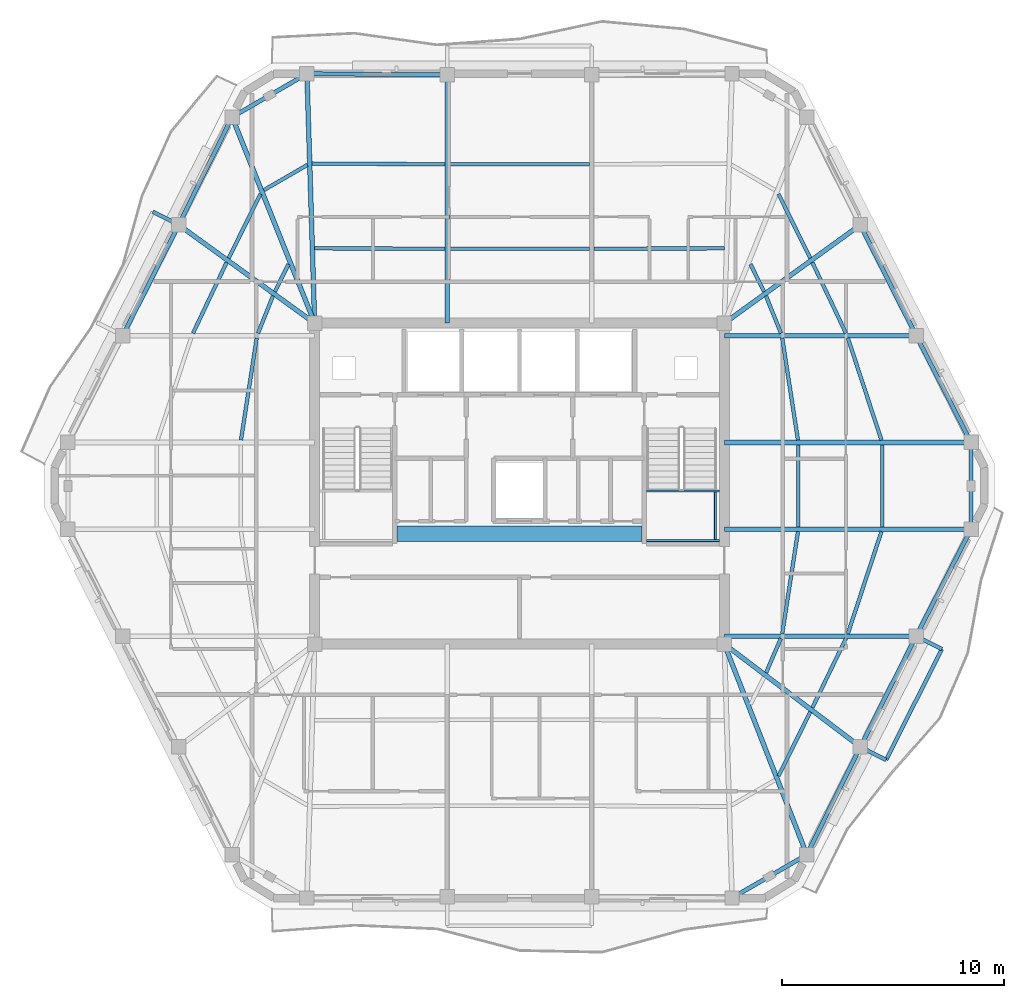
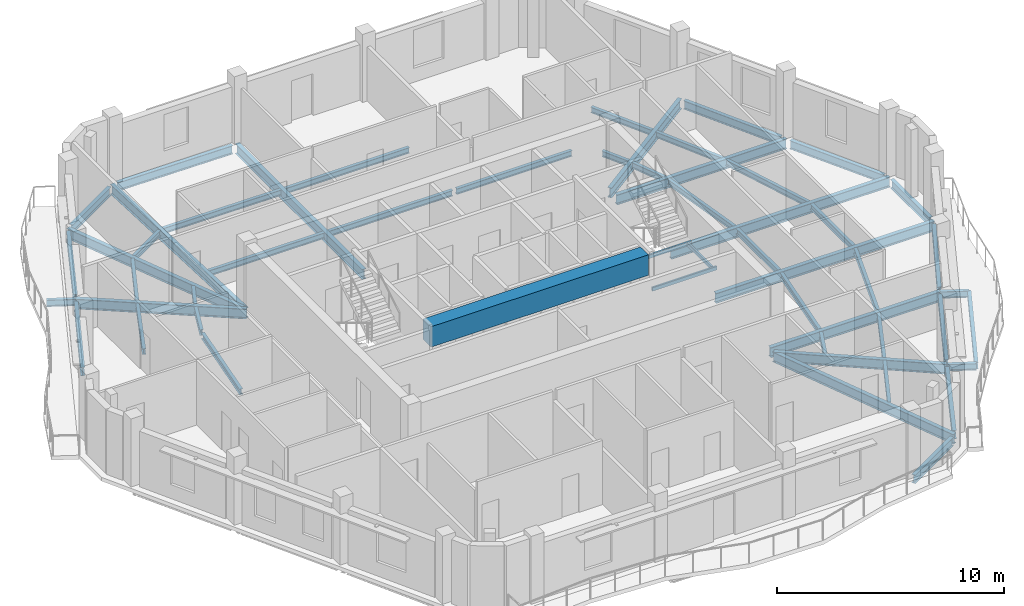
# One storey, part 2 of 12: 54 beams.
"""IFC4 building model written with IfcOpenShell, lengths in metres."""

from ifc_helpers import new_model, si_unit, direction, frame, origin, origin_2d, place, context, subcontext, project, spatial, rectangle, hollow_rectangle, i_section, extrude, material, material_profile, profile_set, type_object, element, save


model = new_model("IFC4")

# Units and contexts
model_context = context("Model", 3, precision=1e-05, world=origin(), true_north=direction((0.0, 1.0)))
body_context = subcontext(model_context, "Body", "Model", "MODEL_VIEW")
ifc_project = project(units=[si_unit("LENGTHUNIT", "METRE"), si_unit("AREAUNIT", "SQUARE_METRE"), si_unit("VOLUMEUNIT", "CUBIC_METRE"), si_unit("PLANEANGLEUNIT", "RADIAN"), si_unit("MASSUNIT", "GRAM", prefix="KILO")], contexts=[model_context])

# Site, building, storey
site_placement = place(None, origin())
site = spatial("IfcSite", under=ifc_project, at=site_placement, CompositionType="ELEMENT")
building_placement = place(site_placement, origin())
building = spatial("IfcBuilding", under=site, at=building_placement, Name="Cinnabar Lancet Tower", CompositionType="ELEMENT")
storey_placement = place(building_placement, frame((0.0, 0.0, 270.800048828125)))
storey = spatial("IfcBuildingStorey", under=building, at=storey_placement, Name="L72", CompositionType="ELEMENT", Elevation=270.800048828125)

# Beams
ifc_material_1 = material(Name="Concrete C70/85", Category="concrete")
ifc_material_profile_1 = material_profile(ifc_material_1, rectangle(XDim=0.699951171875, YDim=1.10009765625, at=origin_2d()), Name="RC-CB 700x1100")
ifc_profile_set_1 = profile_set([ifc_material_profile_1], Name="Concrete C70/85")
beam_type_1 = type_object("IfcBeamType", Name="STR-BM-CB-1100", PredefinedType="BEAM", material=ifc_profile_set_1)
beam_1_placement = place(storey_placement, frame((26.8798828125, 23.64990234375, 2.89990234375), z_axis=(1.0, 0.0, 0.0), x_axis=(0.0, 1.0, 0.0)))
element("IfcBeam", 1, at=beam_1_placement, inside=storey, type_object=beam_type_1, Name="L72 Core Coupling Beam", PredefinedType="BEAM", context=body_context, shape_type="SweptSolid", body=[
    extrude(rectangle(XDim=0.699951171875, YDim=1.10009765625, at=origin_2d()), origin(), (0.0, 0.0, 1.0), 11.0400390625),
])
ifc_material_2 = material(Name="Structural steel S355", Category="steel")
ifc_material_profile_2 = material_profile(ifc_material_2, i_section(OverallWidth=0.1650390625, OverallDepth=0.303466796875, WebThickness=0.006103515625, FlangeThickness=0.01025390625, FilletRadius=0.0087890625, at=origin_2d()), Name="UKB 305x165x40")
ifc_profile_set_2 = profile_set([ifc_material_profile_2], Name="Structural steel S355")
beam_type_2 = type_object("IfcBeamType", Name="STR-BM-JST-305", PredefinedType="JOIST", material=ifc_profile_set_2)
beam_2_placement = place(storey_placement, frame((44.06591796875, 12.73193359375, -0.35205078125), z_axis=(0.444391284604, 0.895832789179, 0.0), x_axis=(-0.895832789179, 0.444391284604, 0.0)))
element("IfcBeam", 2, at=beam_2_placement, inside=storey, type_object=beam_type_2, Name="L72 Secondary Floor Joist 15", PredefinedType="JOIST", context=body_context, shape_type="SweptSolid", body=[
    extrude(i_section(OverallWidth=0.1650390625, OverallDepth=0.303466796875, WebThickness=0.006103515625, FlangeThickness=0.01025390625, FilletRadius=0.0087890625, at=origin_2d()), origin(), (0.0, 0.0, 1.0), 3.220458984375),
])
beam_3_placement = place(storey_placement, frame((45.591064453125, 15.80810546875, -0.35205078125), z_axis=(0.43610936109, 0.899893674369, 0.0), x_axis=(-0.899893674369, 0.43610936109, 0.0)))
element("IfcBeam", 3, at=beam_3_placement, inside=storey, type_object=beam_type_2, Name="L72 Secondary Floor Joist 17", PredefinedType="JOIST", context=body_context, shape_type="SweptSolid", body=[
    extrude(i_section(OverallWidth=0.1650390625, OverallDepth=0.303466796875, WebThickness=0.006103515625, FlangeThickness=0.01025390625, FilletRadius=0.0087890625, at=origin_2d()), origin(), (0.0, 0.0, 1.0), 3.467041015625),
])
beam_4_placement = place(storey_placement, frame((43.5048828125, 17.385009765625, -0.35205078125), z_axis=(0.396302440144, 0.91812002262, 0.0), x_axis=(-0.91812002262, 0.396302440144, 0.0)))
element("IfcBeam", 4, at=beam_4_placement, inside=storey, type_object=beam_type_2, Name="L72 Secondary Floor Joist 18", PredefinedType="JOIST", context=body_context, shape_type="SweptSolid", body=[
    extrude(i_section(OverallWidth=0.1650390625, OverallDepth=0.303466796875, WebThickness=0.006103515625, FlangeThickness=0.01025390625, FilletRadius=0.0087890625, at=origin_2d()), origin(), (0.0, 0.0, 1.0), 1.6806640625),
])
beam_5_placement = place(storey_placement, frame((47.18798828125, 19.137939453125, -0.35205078125), z_axis=(0.312491145371, 0.949920672512, 0.0), x_axis=(-0.949920672512, 0.312491145371, 0.0)))
element("IfcBeam", 5, at=beam_5_placement, inside=storey, type_object=beam_type_2, Name="L72 Secondary Floor Joist 19", PredefinedType="JOIST", context=body_context, shape_type="SweptSolid", body=[
    extrude(i_section(OverallWidth=0.1650390625, OverallDepth=0.303466796875, WebThickness=0.006103515625, FlangeThickness=0.01025390625, FilletRadius=0.0087890625, at=origin_2d()), origin(), (0.0, 0.0, 1.0), 4.8447265625),
])
beam_6_placement = place(storey_placement, frame((44.23291015625, 19.137939453125, -0.35205078125), z_axis=(0.152262059154, 0.988340156698, 0.0), x_axis=(-0.988340156698, 0.152262059154, 0.0)))
element("IfcBeam", 6, at=beam_6_placement, inside=storey, type_object=beam_type_2, Name="L72 Secondary Floor Joist 20", PredefinedType="JOIST", context=body_context, shape_type="SweptSolid", body=[
    extrude(i_section(OverallWidth=0.1650390625, OverallDepth=0.303466796875, WebThickness=0.006103515625, FlangeThickness=0.01025390625, FilletRadius=0.0087890625, at=origin_2d()), origin(), (0.0, 0.0, 1.0), 4.65625),
])
for number, where, z_axis, x_axis, name in (
    (7, (48.737060546875, 23.949951171875, -0.35205078125), (0.0, 1.0, 0.0), (-1.0, 0.0, 0.0), "L72 Secondary Floor Joist 21"),
    (8, (44.958984375, 23.949951171875, -0.35205078125), (0.0, 1.0, 0.0), (-1.0, 0.0, 0.0), "L72 Secondary Floor Joist 22"),
):
    element("IfcBeam", number, at=place(storey_placement, frame(where, z_axis=z_axis, x_axis=x_axis)), inside=storey, type_object=beam_type_2, Name=name, PredefinedType="JOIST", context=body_context, shape_type="SweptSolid", body=[
        extrude(i_section(OverallWidth=0.1650390625, OverallDepth=0.303466796875, WebThickness=0.006103515625, FlangeThickness=0.01025390625, FilletRadius=0.0087890625, at=origin_2d()), origin(), (0.0, 0.0, 1.0), 3.699951171875),
    ])
beam_7_placement = place(storey_placement, frame((48.701904296875, 27.860107421875, -0.35205078125), z_axis=(-0.312506104996, 0.94991575118, 0.0), x_axis=(-0.94991575118, -0.312506104996, 0.0)))
element("IfcBeam", 9, at=beam_7_placement, inside=storey, type_object=beam_type_2, Name="L72 Secondary Floor Joist 23", PredefinedType="JOIST", context=body_context, shape_type="SweptSolid", body=[
    extrude(i_section(OverallWidth=0.1650390625, OverallDepth=0.303466796875, WebThickness=0.006103515625, FlangeThickness=0.01025390625, FilletRadius=0.0087890625, at=origin_2d()), origin(), (0.0, 0.0, 1.0), 4.844482421875),
])
beam_8_placement = place(storey_placement, frame((44.94189453125, 27.860107421875, -0.35205078125), z_axis=(-0.152269949853, 0.988338941038, 0.0), x_axis=(-0.988338941038, -0.152269949853, 0.0)))
element("IfcBeam", 10, at=beam_8_placement, inside=storey, type_object=beam_type_2, Name="L72 Secondary Floor Joist 24", PredefinedType="JOIST", context=body_context, shape_type="SweptSolid", body=[
    extrude(i_section(OverallWidth=0.1650390625, OverallDepth=0.303466796875, WebThickness=0.006103515625, FlangeThickness=0.01025390625, FilletRadius=0.0087890625, at=origin_2d()), origin(), (0.0, 0.0, 1.0), 4.656005859375),
])
beam_9_placement = place(storey_placement, frame((47.10400390625, 32.672119140625, -0.35205078125), z_axis=(-0.428647868514, 0.903471640296, 0.0), x_axis=(-0.903471640296, -0.428647868514, 0.0)))
element("IfcBeam", 11, at=beam_9_placement, inside=storey, type_object=beam_type_2, Name="L72 Secondary Floor Joist 25", PredefinedType="JOIST", context=body_context, shape_type="SweptSolid", body=[
    extrude(i_section(OverallWidth=0.1650390625, OverallDepth=0.303466796875, WebThickness=0.006103515625, FlangeThickness=0.01025390625, FilletRadius=0.0087890625, at=origin_2d()), origin(), (0.0, 0.0, 1.0), 3.53173828125),
])
beam_10_placement = place(storey_placement, frame((44.175048828125, 32.672119140625, -0.35205078125), z_axis=(-0.37155332079, 0.928411616585, 0.0), x_axis=(-0.928411616585, -0.37155332079, 0.0)))
element("IfcBeam", 12, at=beam_10_placement, inside=storey, type_object=beam_type_2, Name="L72 Secondary Floor Joist 26", PredefinedType="JOIST", context=body_context, shape_type="SweptSolid", body=[
    extrude(i_section(OverallWidth=0.1650390625, OverallDepth=0.303466796875, WebThickness=0.006103515625, FlangeThickness=0.01025390625, FilletRadius=0.0087890625, at=origin_2d()), origin(), (0.0, 0.0, 1.0), 1.8115234375),
])
beam_11_placement = place(storey_placement, frame((45.4970703125, 36.054931640625, -0.35205078125), z_axis=(-0.44427059531, 0.895892648783, 0.0), x_axis=(-0.895892648783, -0.44427059531, 0.0)))
element("IfcBeam", 13, at=beam_11_placement, inside=storey, type_object=beam_type_2, Name="L72 Secondary Floor Joist 27", PredefinedType="JOIST", context=body_context, shape_type="SweptSolid", body=[
    extrude(i_section(OverallWidth=0.1650390625, OverallDepth=0.303466796875, WebThickness=0.006103515625, FlangeThickness=0.01025390625, FilletRadius=0.0087890625, at=origin_2d()), origin(), (0.0, 0.0, 1.0), 3.221435546875),
])
beam_12_placement = place(storey_placement, frame((43.4150390625, 34.549072265625, -0.35205078125), z_axis=(-0.444661746427, 0.895698571655, 0.0), x_axis=(-0.895698571655, -0.444661746427, 0.0)))
element("IfcBeam", 14, at=beam_12_placement, inside=storey, type_object=beam_type_2, Name="L72 Secondary Floor Joist 28", PredefinedType="JOIST", context=body_context, shape_type="SweptSolid", body=[
    extrude(i_section(OverallWidth=0.1650390625, OverallDepth=0.303466796875, WebThickness=0.006103515625, FlangeThickness=0.01025390625, FilletRadius=0.0087890625, at=origin_2d()), origin(), (0.0, 0.0, 1.0), 1.378662109375),
])
beam_13_placement = place(storey_placement, frame((41.6240234375, 36.49609375, -0.35205078125), z_axis=(-0.999996226008, -0.002747356738, 0.0), x_axis=(0.002747356738, -0.999996226008, 0.0)))
element("IfcBeam", 15, at=beam_13_placement, inside=storey, type_object=beam_type_2, Name="L72 Secondary Floor Joist 31", PredefinedType="JOIST", context=body_context, shape_type="SweptSolid", body=[
    extrude(i_section(OverallWidth=0.1650390625, OverallDepth=0.303466796875, WebThickness=0.006103515625, FlangeThickness=0.01025390625, FilletRadius=0.0087890625, at=origin_2d()), origin(), (0.0, 0.0, 1.0), 5.864990234375),
])
for number, where, z_axis, x_axis, name in (
    (16, (35.549072265625, 40.281982421875, -0.35205078125), (-1.0, 0.0, 0.0), (0.0, -1.0, 0.0), "L72 Secondary Floor Joist 32"),
    (17, (35.549072265625, 36.47998046875, -0.35205078125), (-1.0, 0.0, 0.0), (0.0, -1.0, 0.0), "L72 Secondary Floor Joist 33"),
):
    element("IfcBeam", number, at=place(storey_placement, frame(where, z_axis=z_axis, x_axis=x_axis)), inside=storey, type_object=beam_type_2, Name=name, PredefinedType="JOIST", context=body_context, shape_type="SweptSolid", body=[
        extrude(i_section(OverallWidth=0.1650390625, OverallDepth=0.303466796875, WebThickness=0.006103515625, FlangeThickness=0.01025390625, FilletRadius=0.0087890625, at=origin_2d()), origin(), (0.0, 0.0, 1.0), 6.298095703125),
    ])
beam_14_placement = place(storey_placement, frame((29.041015625, 40.282958984375, -0.35205078125), z_axis=(-0.999985712428, 0.005345553266, 0.0), x_axis=(-0.005345553266, -0.999985712428, 0.0)))
element("IfcBeam", 18, at=beam_14_placement, inside=storey, type_object=beam_type_2, Name="L72 Secondary Floor Joist 34", PredefinedType="JOIST", context=body_context, shape_type="SweptSolid", body=[
    extrude(i_section(OverallWidth=0.1650390625, OverallDepth=0.303466796875, WebThickness=0.006103515625, FlangeThickness=0.01025390625, FilletRadius=0.0087890625, at=origin_2d()), origin(), (0.0, 0.0, 1.0), 5.98291015625),
])
beam_15_placement = place(storey_placement, frame((29.041015625, 36.47998046875, -0.35205078125), z_axis=(-0.999996226008, 0.002747356738, 0.0), x_axis=(-0.002747356738, -0.999996226008, 0.0)))
element("IfcBeam", 19, at=beam_15_placement, inside=storey, type_object=beam_type_2, Name="L72 Secondary Floor Joist 35", PredefinedType="JOIST", context=body_context, shape_type="SweptSolid", body=[
    extrude(i_section(OverallWidth=0.1650390625, OverallDepth=0.303466796875, WebThickness=0.006103515625, FlangeThickness=0.01025390625, FilletRadius=0.0087890625, at=origin_2d()), origin(), (0.0, 0.0, 1.0), 5.864990234375),
])
beam_16_placement = place(storey_placement, frame((22.85009765625, 40.256103515625, -0.35205078125), z_axis=(-0.865426285481, -0.501036270542, 0.0), x_axis=(0.501036270542, -0.865426285481, 0.0)))
element("IfcBeam", 20, at=beam_16_placement, inside=storey, type_object=beam_type_2, Name="L72 Secondary Floor Joist 36", PredefinedType="JOIST", context=body_context, shape_type="SweptSolid", body=[
    extrude(i_section(OverallWidth=0.1650390625, OverallDepth=0.303466796875, WebThickness=0.006103515625, FlangeThickness=0.01025390625, FilletRadius=0.0087890625, at=origin_2d()), origin(), (0.0, 0.0, 1.0), 2.267333984375),
])
beam_17_placement = place(storey_placement, frame((20.73388671875, 38.94091796875, -0.35205078125), z_axis=(-0.444209762814, -0.89592281287, 0.0), x_axis=(0.89592281287, -0.444209762814, 0.0)))
element("IfcBeam", 21, at=beam_17_placement, inside=storey, type_object=beam_type_2, Name="L72 Secondary Floor Joist 37", PredefinedType="JOIST", context=body_context, shape_type="SweptSolid", body=[
    extrude(i_section(OverallWidth=0.1650390625, OverallDepth=0.303466796875, WebThickness=0.006103515625, FlangeThickness=0.01025390625, FilletRadius=0.0087890625, at=origin_2d()), origin(), (0.0, 0.0, 1.0), 3.22119140625),
])
beam_18_placement = place(storey_placement, frame((21.998046875, 35.783935546875, -0.35205078125), z_axis=(-0.444661746427, -0.895698571655, 0.0), x_axis=(0.895698571655, -0.444661746427, 0.0)))
element("IfcBeam", 22, at=beam_18_placement, inside=storey, type_object=beam_type_2, Name="L72 Secondary Floor Joist 38", PredefinedType="JOIST", context=body_context, shape_type="SweptSolid", body=[
    extrude(i_section(OverallWidth=0.1650390625, OverallDepth=0.303466796875, WebThickness=0.006103515625, FlangeThickness=0.01025390625, FilletRadius=0.0087890625, at=origin_2d()), origin(), (0.0, 0.0, 1.0), 1.378662109375),
])
beam_19_placement = place(storey_placement, frame((19.2099609375, 35.863037109375, -0.35205078125), z_axis=(-0.428647868514, -0.903471640296, 0.0), x_axis=(0.903471640296, -0.428647868514, 0.0)))
element("IfcBeam", 23, at=beam_19_placement, inside=storey, type_object=beam_type_2, Name="L72 Secondary Floor Joist 39", PredefinedType="JOIST", context=body_context, shape_type="SweptSolid", body=[
    extrude(i_section(OverallWidth=0.1650390625, OverallDepth=0.303466796875, WebThickness=0.006103515625, FlangeThickness=0.01025390625, FilletRadius=0.0087890625, at=origin_2d()), origin(), (0.0, 0.0, 1.0), 3.53173828125),
])
beam_20_placement = place(storey_placement, frame((21.298095703125, 34.35400390625, -0.35205078125), z_axis=(-0.37155332079, -0.928411616585, 0.0), x_axis=(0.928411616585, -0.37155332079, 0.0)))
element("IfcBeam", 24, at=beam_20_placement, inside=storey, type_object=beam_type_2, Name="L72 Secondary Floor Joist 40", PredefinedType="JOIST", context=body_context, shape_type="SweptSolid", body=[
    extrude(i_section(OverallWidth=0.1650390625, OverallDepth=0.303466796875, WebThickness=0.006103515625, FlangeThickness=0.01025390625, FilletRadius=0.0087890625, at=origin_2d()), origin(), (0.0, 0.0, 1.0), 1.8115234375),
])
beam_21_placement = place(storey_placement, frame((20.56689453125, 32.4619140625, -0.35205078125), z_axis=(-0.152269949853, -0.988338941038, 0.0), x_axis=(0.988338941038, -0.152269949853, 0.0)))
element("IfcBeam", 25, at=beam_21_placement, inside=storey, type_object=beam_type_2, Name="L72 Secondary Floor Joist 42", PredefinedType="JOIST", context=body_context, shape_type="SweptSolid", body=[
    extrude(i_section(OverallWidth=0.1650390625, OverallDepth=0.303466796875, WebThickness=0.006103515625, FlangeThickness=0.01025390625, FilletRadius=0.0087890625, at=origin_2d()), origin(), (0.0, 0.0, 1.0), 4.656005859375),
])
ifc_material_3 = material(Name="Structural steel S355", Category="steel")
ifc_material_profile_3 = material_profile(ifc_material_3, hollow_rectangle(XDim=0.10009765625, YDim=0.199951171875, WallThickness=0.008056640625, InnerFilletRadius=0.00390625, OuterFilletRadius=0.011962890625, at=origin_2d()), Name="RHS 200x100x8")
ifc_profile_set_3 = profile_set([ifc_material_profile_3], Name="Structural steel S355")
beam_type_3 = type_object("IfcBeamType", Name="STR-BM-LND-203", PredefinedType="BEAM", material=ifc_profile_set_3)
for number, where, z_axis, x_axis, name in (
    (26, (38.1201171875, 23.330078125, 1.52490234375), (1.0, 0.0, 0.0), (0.0, 1.0, 0.0), "L72 ST-2-L72 Landing Support Beam S"),
    (27, (38.1201171875, 25.570068359375, 1.52490234375), (1.0, 0.0, 0.0), (0.0, 1.0, 0.0), "L72 ST-2-L72 Landing Support Beam N"),
):
    element("IfcBeam", number, at=place(storey_placement, frame(where, z_axis=z_axis, x_axis=x_axis)), inside=storey, type_object=beam_type_3, Name=name, PredefinedType="BEAM", context=body_context, shape_type="SweptSolid", body=[
        extrude(hollow_rectangle(XDim=0.10009765625, YDim=0.199951171875, WallThickness=0.008056640625, InnerFilletRadius=0.00390625, OuterFilletRadius=0.011962890625, at=origin_2d()), origin(), (0.0, 0.0, 1.0), 3.27978515625),
    ])
beam_22_placement = place(storey_placement, frame((41.219970703125, 23.3798828125, 1.52490234375), z_axis=(0.0, 1.0, 0.0), x_axis=(-1.0, 0.0, 0.0)))
element("IfcBeam", 28, at=beam_22_placement, inside=storey, type_object=beam_type_3, Name="L72 ST-2-L72 Landing Side Trimmer Beam", PredefinedType="BEAM", context=body_context, shape_type="SweptSolid", body=[
    extrude(hollow_rectangle(XDim=0.10009765625, YDim=0.199951171875, WallThickness=0.008056640625, InnerFilletRadius=0.00390625, OuterFilletRadius=0.011962890625, at=origin_2d()), origin(), (0.0, 0.0, 1.0), 2.14013671875),
])
ifc_material_4 = material(Name="Structural steel S355", Category="steel")
ifc_material_profile_4 = material_profile(ifc_material_4, i_section(OverallWidth=0.1904296875, OverallDepth=0.45703125, WebThickness=0.009033203125, FlangeThickness=0.014404296875, FilletRadius=0.01025390625, at=origin_2d()), Name="UKB 457x191x74")
ifc_profile_set_4 = profile_set([ifc_material_profile_4], Name="Structural steel S355")
beam_type_4 = type_object("IfcBeamType", Name="STR-BM-SPN-457", PredefinedType="SPANDREL", material=ifc_profile_set_4)
beam_23_placement = place(storey_placement, frame((42.18798828125, 7.364013671875, -0.427978515625), z_axis=(0.865230894194, 0.50137361292, 0.0), x_axis=(-0.50137361292, 0.865230894194, 0.0)))
element("IfcBeam", 29, at=beam_23_placement, inside=storey, type_object=beam_type_4, Name="L72 Perimeter Spandrel 4", PredefinedType="SPANDREL", context=body_context, shape_type="SweptSolid", body=[
    extrude(i_section(OverallWidth=0.1904296875, OverallDepth=0.45703125, WebThickness=0.009033203125, FlangeThickness=0.014404296875, FilletRadius=0.01025390625, at=origin_2d()), origin(), (0.0, 0.0, 1.0), 3.39453125),
])
beam_24_placement = place(storey_placement, frame((45.451904296875, 9.4150390625, -0.427978515625), z_axis=(0.444372599207, 0.895842058107, 0.0), x_axis=(-0.895842058107, 0.444372599207, 0.0)))
element("IfcBeam", 30, at=beam_24_placement, inside=storey, type_object=beam_type_4, Name="L72 Perimeter Spandrel 5", PredefinedType="SPANDREL", context=body_context, shape_type="SweptSolid", body=[
    extrude(i_section(OverallWidth=0.1904296875, OverallDepth=0.45703125, WebThickness=0.009033203125, FlangeThickness=0.014404296875, FilletRadius=0.01025390625, at=origin_2d()), origin(), (0.0, 0.0, 1.0), 4.91943359375),
])
beam_25_placement = place(storey_placement, frame((47.862060546875, 14.26904296875, -0.427978515625), z_axis=(0.450091864122, 0.892982258419, 0.0), x_axis=(-0.892982258419, 0.450091864122, 0.0)))
element("IfcBeam", 31, at=beam_25_placement, inside=storey, type_object=beam_type_4, Name="L72 Perimeter Spandrel 6", PredefinedType="SPANDREL", context=body_context, shape_type="SweptSolid", body=[
    extrude(i_section(OverallWidth=0.1904296875, OverallDepth=0.45703125, WebThickness=0.009033203125, FlangeThickness=0.014404296875, FilletRadius=0.01025390625, at=origin_2d()), origin(), (0.0, 0.0, 1.0), 5.085205078125),
])
beam_26_placement = place(storey_placement, frame((50.3779296875, 19.2548828125, -0.427978515625), z_axis=(0.457127852293, 0.889400993174, 0.0), x_axis=(-0.889400993174, 0.457127852293, 0.0)))
element("IfcBeam", 32, at=beam_26_placement, inside=storey, type_object=beam_type_4, Name="L72 Perimeter Spandrel 7", PredefinedType="SPANDREL", context=body_context, shape_type="SweptSolid", body=[
    extrude(i_section(OverallWidth=0.1904296875, OverallDepth=0.45703125, WebThickness=0.009033203125, FlangeThickness=0.014404296875, FilletRadius=0.01025390625, at=origin_2d()), origin(), (0.0, 0.0, 1.0), 4.911376953125),
])
beam_27_placement = place(storey_placement, frame((52.737060546875, 24.094970703125, -0.427978515625), z_axis=(0.0, 1.0, 0.0), x_axis=(-1.0, 0.0, 0.0)))
element("IfcBeam", 33, at=beam_27_placement, inside=storey, type_object=beam_type_4, Name="L72 Perimeter Spandrel 8", PredefinedType="SPANDREL", context=body_context, shape_type="SweptSolid", body=[
    extrude(i_section(OverallWidth=0.1904296875, OverallDepth=0.45703125, WebThickness=0.009033203125, FlangeThickness=0.014404296875, FilletRadius=0.01025390625, at=origin_2d()), origin(), (0.0, 0.0, 1.0), 3.409912109375),
])
beam_28_placement = place(storey_placement, frame((52.623046875, 27.97705078125, -0.427978515625), z_axis=(-0.457148063427, 0.889390604912, 0.0), x_axis=(-0.889390604912, -0.457148063427, 0.0)))
element("IfcBeam", 34, at=beam_28_placement, inside=storey, type_object=beam_type_4, Name="L72 Perimeter Spandrel 9", PredefinedType="SPANDREL", context=body_context, shape_type="SweptSolid", body=[
    extrude(i_section(OverallWidth=0.1904296875, OverallDepth=0.45703125, WebThickness=0.009033203125, FlangeThickness=0.014404296875, FilletRadius=0.01025390625, at=origin_2d()), origin(), (0.0, 0.0, 1.0), 4.9111328125),
])
beam_29_placement = place(storey_placement, frame((50.15087890625, 32.7900390625, -0.427978515625), z_axis=(-0.450091864122, 0.892982258419, 0.0), x_axis=(-0.892982258419, -0.450091864122, 0.0)))
element("IfcBeam", 35, at=beam_29_placement, inside=storey, type_object=beam_type_4, Name="L72 Perimeter Spandrel 10", PredefinedType="SPANDREL", context=body_context, shape_type="SweptSolid", body=[
    extrude(i_section(OverallWidth=0.1904296875, OverallDepth=0.45703125, WebThickness=0.009033203125, FlangeThickness=0.014404296875, FilletRadius=0.01025390625, at=origin_2d()), origin(), (0.0, 0.0, 1.0), 5.085205078125),
])
beam_30_placement = place(storey_placement, frame((28.89599609375, 44.31005859375, -0.427978515625), z_axis=(-0.999964785419, 0.008392134492, 0.0), x_axis=(-0.008392134492, -0.999964785419, 0.0)))
element("IfcBeam", 36, at=beam_30_placement, inside=storey, type_object=beam_type_4, Name="L72 Perimeter Spandrel 15", PredefinedType="SPANDREL", context=body_context, shape_type="SweptSolid", body=[
    extrude(i_section(OverallWidth=0.1904296875, OverallDepth=0.45703125, WebThickness=0.009033203125, FlangeThickness=0.014404296875, FilletRadius=0.01025390625, at=origin_2d()), origin(), (0.0, 0.0, 1.0), 5.818359375),
])
beam_31_placement = place(storey_placement, frame((22.612060546875, 44.236083984375, -0.427978515625), z_axis=(-0.865199693264, -0.501427453153, 0.0), x_axis=(0.501427453153, -0.865199693264, 0.0)))
element("IfcBeam", 37, at=beam_31_placement, inside=storey, type_object=beam_type_4, Name="L72 Perimeter Spandrel 16", PredefinedType="SPANDREL", context=body_context, shape_type="SweptSolid", body=[
    extrude(i_section(OverallWidth=0.1904296875, OverallDepth=0.45703125, WebThickness=0.009033203125, FlangeThickness=0.014404296875, FilletRadius=0.01025390625, at=origin_2d()), origin(), (0.0, 0.0, 1.0), 3.39453125),
])
beam_32_placement = place(storey_placement, frame((19.347900390625, 42.18505859375, -0.427978515625), z_axis=(-0.44433276947, -0.895861814107, 0.0), x_axis=(0.895861814107, -0.44433276947, 0.0)))
element("IfcBeam", 38, at=beam_32_placement, inside=storey, type_object=beam_type_4, Name="L72 Perimeter Spandrel 17", PredefinedType="SPANDREL", context=body_context, shape_type="SweptSolid", body=[
    extrude(i_section(OverallWidth=0.1904296875, OverallDepth=0.45703125, WebThickness=0.009033203125, FlangeThickness=0.014404296875, FilletRadius=0.01025390625, at=origin_2d()), origin(), (0.0, 0.0, 1.0), 4.919189453125),
])
beam_33_placement = place(storey_placement, frame((16.93798828125, 37.3310546875, -0.427978515625), z_axis=(-0.450130146726, -0.892962961722, 0.0), x_axis=(0.892962961722, -0.450130146726, 0.0)))
element("IfcBeam", 39, at=beam_33_placement, inside=storey, type_object=beam_type_4, Name="L72 Perimeter Spandrel 18", PredefinedType="SPANDREL", context=body_context, shape_type="SweptSolid", body=[
    extrude(i_section(OverallWidth=0.1904296875, OverallDepth=0.45703125, WebThickness=0.009033203125, FlangeThickness=0.014404296875, FilletRadius=0.01025390625, at=origin_2d()), origin(), (0.0, 0.0, 1.0), 5.08544921875),
])
ifc_material_5 = material(Name="Structural steel S355", Category="steel")
ifc_material_profile_5 = material_profile(ifc_material_5, i_section(OverallWidth=0.209228515625, OverallDepth=0.533203125, WebThickness=0.010009765625, FlangeThickness=0.015625, FilletRadius=0.0126953125, at=origin_2d()), Name="UKB 533x210x92")
ifc_profile_set_5 = profile_set([ifc_material_profile_5], Name="Structural steel S355")
beam_type_5 = type_object("IfcBeamType", Name="STR-BM-UKB533-92", PredefinedType="BEAM", material=ifc_profile_set_5)
beam_34_placement = place(storey_placement, frame((47.7490234375, 14.0458984375, -0.467041015625), z_axis=(-0.797735075719, 0.603008083667, 0.0), x_axis=(-0.603008083667, -0.797735075719, 0.0)))
element("IfcBeam", 40, at=beam_34_placement, inside=storey, type_object=beam_type_5, Name="L72 Corner Collector Girder 2", PredefinedType="BEAM", context=body_context, shape_type="SweptSolid", body=[
    extrude(i_section(OverallWidth=0.209228515625, OverallDepth=0.533203125, WebThickness=0.010009765625, FlangeThickness=0.015625, FilletRadius=0.0126953125, at=origin_2d()), origin(), (0.0, 0.0, 1.0), 7.6767578125),
])
for number, where, z_axis, x_axis, name in (
    (41, (47.7490234375, 37.553955078125, -0.467041015625), (-0.810299148474, -0.586016458797, 0.0), (0.586016458797, -0.810299148474, 0.0), "L72 Corner Collector Girder 3"),
    (42, (17.051025390625, 37.553955078125, -0.467041015625), (0.810299148474, -0.586016458797, 0.0), (0.586016458797, 0.810299148474, 0.0), "L72 Corner Collector Girder 4"),
):
    element("IfcBeam", number, at=place(storey_placement, frame(where, z_axis=z_axis, x_axis=x_axis)), inside=storey, type_object=beam_type_5, Name=name, PredefinedType="BEAM", context=body_context, shape_type="SweptSolid", body=[
        extrude(i_section(OverallWidth=0.209228515625, OverallDepth=0.533203125, WebThickness=0.010009765625, FlangeThickness=0.015625, FilletRadius=0.0126953125, at=origin_2d()), origin(), (0.0, 0.0, 1.0), 7.5576171875),
    ])
beam_35_placement = place(storey_placement, frame((45.341064453125, 9.19091796875, -0.467041015625), z_axis=(-0.364815017375, 0.931080019707, 0.0), x_axis=(-0.931080019707, -0.364815017375, 0.0)))
element("IfcBeam", 43, at=beam_35_placement, inside=storey, type_object=beam_type_5, Name="L72 Primary Floor Girder 5", PredefinedType="BEAM", context=body_context, shape_type="SweptSolid", body=[
    extrude(i_section(OverallWidth=0.209228515625, OverallDepth=0.533203125, WebThickness=0.010009765625, FlangeThickness=0.015625, FilletRadius=0.0126953125, at=origin_2d()), origin(), (0.0, 0.0, 1.0), 10.186279296875),
])
beam_36_placement = place(storey_placement, frame((50.263916015625, 19.032958984375, -0.467041015625), z_axis=(-1.0, 0.0, 0.0), x_axis=(0.0, -1.0, 0.0)))
element("IfcBeam", 44, at=beam_36_placement, inside=storey, type_object=beam_type_5, Name="L72 Primary Floor Girder 7", PredefinedType="BEAM", context=body_context, shape_type="SweptSolid", body=[
    extrude(i_section(OverallWidth=0.209228515625, OverallDepth=0.533203125, WebThickness=0.010009765625, FlangeThickness=0.015625, FilletRadius=0.0126953125, at=origin_2d()), origin(), (0.0, 0.0, 1.0), 8.638916015625),
])
for number, where, z_axis, x_axis, name in (
    (45, (52.737060546875, 23.844970703125, -0.467041015625), (-1.0, 0.0, 0.0), (0.0, -1.0, 0.0), "L72 Primary Floor Girder 8"),
    (46, (52.737060546875, 27.7548828125, -0.467041015625), (-1.0, 0.0, 0.0), (0.0, -1.0, 0.0), "L72 Primary Floor Girder 9"),
):
    element("IfcBeam", number, at=place(storey_placement, frame(where, z_axis=z_axis, x_axis=x_axis)), inside=storey, type_object=beam_type_5, Name=name, PredefinedType="BEAM", context=body_context, shape_type="SweptSolid", body=[
        extrude(i_section(OverallWidth=0.209228515625, OverallDepth=0.533203125, WebThickness=0.010009765625, FlangeThickness=0.015625, FilletRadius=0.0126953125, at=origin_2d()), origin(), (0.0, 0.0, 1.0), 11.112060546875),
    ])
beam_37_placement = place(storey_placement, frame((50.263916015625, 32.56689453125, -0.467041015625), z_axis=(-1.0, 0.0, 0.0), x_axis=(0.0, -1.0, 0.0)))
element("IfcBeam", 47, at=beam_37_placement, inside=storey, type_object=beam_type_5, Name="L72 Primary Floor Girder 10", PredefinedType="BEAM", context=body_context, shape_type="SweptSolid", body=[
    extrude(i_section(OverallWidth=0.209228515625, OverallDepth=0.533203125, WebThickness=0.010009765625, FlangeThickness=0.015625, FilletRadius=0.0126953125, at=origin_2d()), origin(), (0.0, 0.0, 1.0), 8.638916015625),
])
beam_38_placement = place(storey_placement, frame((29.14599609375, 44.30810546875, -0.467041015625), z_axis=(0.0, -1.0, 0.0), x_axis=(1.0, 0.0, 0.0)))
element("IfcBeam", 48, at=beam_38_placement, inside=storey, type_object=beam_type_5, Name="L72 Primary Floor Girder 15", PredefinedType="BEAM", context=body_context, shape_type="SweptSolid", body=[
    extrude(i_section(OverallWidth=0.209228515625, OverallDepth=0.533203125, WebThickness=0.010009765625, FlangeThickness=0.015625, FilletRadius=0.0126953125, at=origin_2d()), origin(), (0.0, 0.0, 1.0), 11.18310546875),
])
beam_39_placement = place(storey_placement, frame((22.827880859375, 44.361083984375, -0.467041015625), z_axis=(0.030882856862, -0.999523010817, 0.0), x_axis=(0.999523010817, 0.030882856862, 0.0)))
element("IfcBeam", 49, at=beam_39_placement, inside=storey, type_object=beam_type_5, Name="L72 Primary Floor Girder 16", PredefinedType="BEAM", context=body_context, shape_type="SweptSolid", body=[
    extrude(i_section(OverallWidth=0.209228515625, OverallDepth=0.533203125, WebThickness=0.010009765625, FlangeThickness=0.015625, FilletRadius=0.0126953125, at=origin_2d()), origin(), (0.0, 0.0, 1.0), 11.241455078125),
])
beam_40_placement = place(storey_placement, frame((19.458984375, 42.408935546875, -0.467041015625), z_axis=(0.371605341166, -0.928390796172, 0.0), x_axis=(0.928390796172, 0.371605341166, 0.0)))
element("IfcBeam", 50, at=beam_40_placement, inside=storey, type_object=beam_type_5, Name="L72 Primary Floor Girder 17", PredefinedType="BEAM", context=body_context, shape_type="SweptSolid", body=[
    extrude(i_section(OverallWidth=0.209228515625, OverallDepth=0.533203125, WebThickness=0.010009765625, FlangeThickness=0.015625, FilletRadius=0.0126953125, at=origin_2d()), origin(), (0.0, 0.0, 1.0), 10.0),
])
ifc_material_6 = material(Name="Structural steel S355", Category="steel")
ifc_material_profile_6 = material_profile(ifc_material_6, i_section(OverallWidth=0.17138671875, OverallDepth=0.35498046875, WebThickness=0.00732421875, FlangeThickness=0.011474609375, FilletRadius=0.01025390625, at=origin_2d()), Name="UKB 356x171x51")
ifc_profile_set_6 = profile_set([ifc_material_profile_6], Name="Structural steel S355")
beam_type_6 = type_object("IfcBeamType", Name="STR-BM-WAV-OUT", PredefinedType="BEAM", material=ifc_profile_set_6)
for number, where, z_axis, x_axis, name in (
    (51, (47.7490234375, 14.0458984375, -0.39794921875), (0.89227592947, -0.451490493464, 0.0), (0.451490493464, 0.89227592947, 0.0), "L72 Face 2 Balcony Outlooker A"),
    (52, (50.263916015625, 19.032958984375, -0.39794921875), (0.892314203325, -0.451414845285, 0.0), (0.451414845285, 0.892314203325, 0.0), "L72 Face 2 Balcony Outlooker B"),
    (53, (17.051025390625, 37.553955078125, -0.39794921875), (-0.892200264127, 0.451639998995, 0.0), (-0.451639998995, -0.892200264127, 0.0), "L72 Face 5 Balcony Outlooker A"),
):
    element("IfcBeam", number, at=place(storey_placement, frame(where, z_axis=z_axis, x_axis=x_axis)), inside=storey, type_object=beam_type_6, Name=name, PredefinedType="BEAM", context=body_context, shape_type="SweptSolid", body=[
        extrude(i_section(OverallWidth=0.17138671875, OverallDepth=0.35498046875, WebThickness=0.00732421875, FlangeThickness=0.011474609375, FilletRadius=0.01025390625, at=origin_2d()), origin(), (0.0, 0.0, 1.0), 1.300048828125),
    ])
ifc_material_7 = material(Name="Structural steel S355", Category="steel")
ifc_material_profile_7 = material_profile(ifc_material_7, i_section(OverallWidth=0.17138671875, OverallDepth=0.35498046875, WebThickness=0.00732421875, FlangeThickness=0.011474609375, FilletRadius=0.01025390625, at=origin_2d()), Name="UKB 356x171x51")
ifc_profile_set_7 = profile_set([ifc_material_profile_7], Name="Structural steel S355")
beam_type_7 = type_object("IfcBeamType", Name="STR-BM-WAV-TRIM", PredefinedType="SPANDREL", material=ifc_profile_set_7)
beam_41_placement = place(storey_placement, frame((48.908935546875, 13.458984375, -0.39794921875), z_axis=(0.450305622338, 0.892874485295, 0.0), x_axis=(-0.892874485295, 0.450305622338, 0.0)))
element("IfcBeam", 54, at=beam_41_placement, inside=storey, type_object=beam_type_7, Name="L72 Face 2 Balcony Edge Trimmer", PredefinedType="SPANDREL", context=body_context, shape_type="SweptSolid", body=[
    extrude(i_section(OverallWidth=0.17138671875, OverallDepth=0.35498046875, WebThickness=0.00732421875, FlangeThickness=0.011474609375, FilletRadius=0.01025390625, at=origin_2d()), origin(), (0.0, 0.0, 1.0), 5.58544921875),
])

save(model, "model.ifc")
